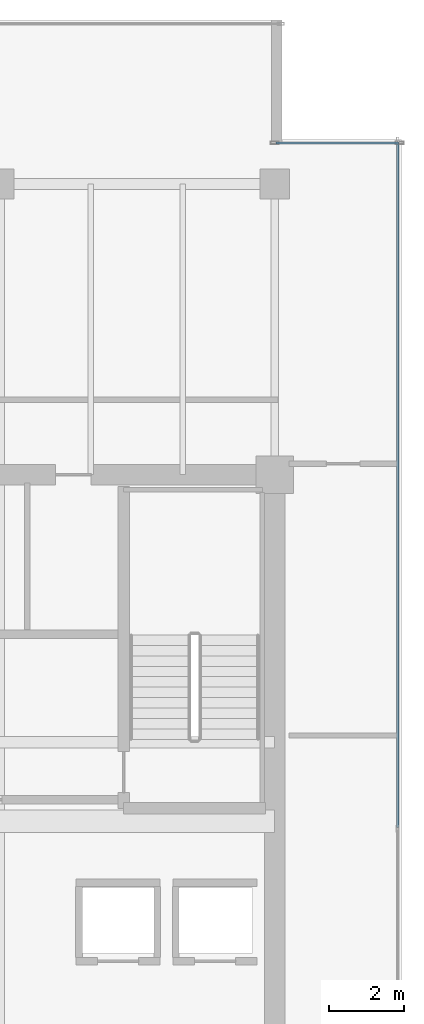
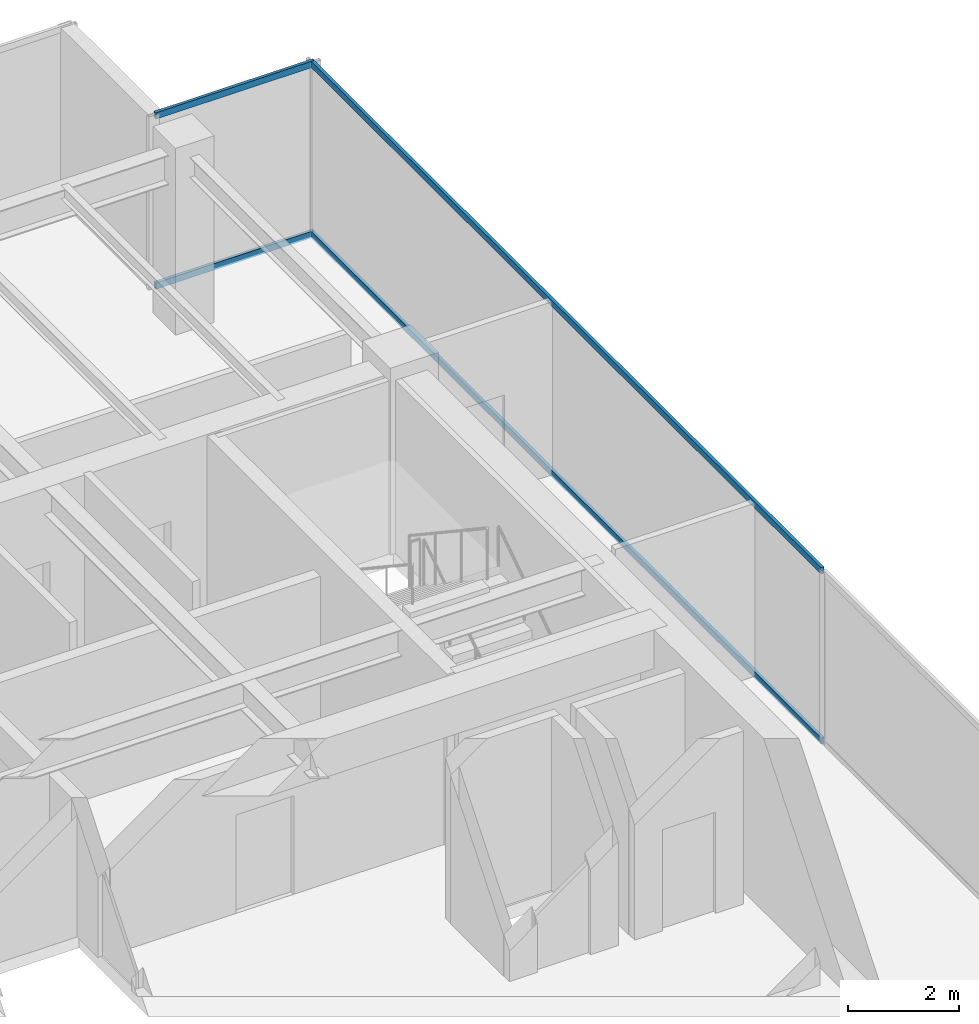
# One storey, part 25 of 33: 4 members, 2 elements without a shape of their own.
"""IFC4 building model written with IfcOpenShell, lengths in metres."""

from ifc_helpers import new_model, si_unit, direction, frame, origin, origin_2d, place, context, subcontext, project, spatial, hollow_rectangle, extrude, source, transform, mapped, material, layer, layer_set, material_profile, profile_set, type_object, type_shapes, element, aggregate, save


model = new_model("IFC4")

# Units and contexts
model_context = context("Model", 3, precision=1e-05, world=origin(), true_north=direction((0.0, 1.0)))
body_context = subcontext(model_context, "Body", "Model", "MODEL_VIEW")
ifc_project = project(units=[si_unit("LENGTHUNIT", "METRE"), si_unit("AREAUNIT", "SQUARE_METRE"), si_unit("VOLUMEUNIT", "CUBIC_METRE"), si_unit("PLANEANGLEUNIT", "RADIAN"), si_unit("MASSUNIT", "GRAM", prefix="KILO")], contexts=[model_context])

# Site, building, storey
site_placement = place(None, origin())
site = spatial("IfcSite", under=ifc_project, at=site_placement, CompositionType="ELEMENT")
building_placement = place(site_placement, origin())
building = spatial("IfcBuilding", under=site, at=building_placement, Name="Haelvirn Gate Laboratories", CompositionType="ELEMENT")
storey_placement = place(building_placement, frame((0.0, 0.0, 209.60009765625)))
storey = spatial("IfcBuildingStorey", under=building, at=storey_placement, Name="L50", CompositionType="ELEMENT", Elevation=209.60009765625)

# Curtain wall, members
ifc_material_1 = material(Name="Anodised bronze unitised aluminium & triple low-E glass", Category="aluminium")
ifc_layer_1 = layer(ifc_material_1, 0.181884765625, Name="CW-SYS-5")
ifc_layer_set_1 = layer_set([ifc_layer_1], Name="Anodised bronze unitised aluminium & triple low-E glass")
curtain_wall_type_1 = type_object("IfcCurtainWallType", Name="CW-SYS-5", PredefinedType="NOTDEFINED", material=ifc_layer_set_1)
curtain_wall_1_placement = place(storey_placement, origin())
curtain_wall_1 = element("IfcCurtainWall", 1, at=curtain_wall_1_placement, inside=storey, type_object=curtain_wall_type_1, Name="L50 Unitised Curtain Wall CW-L50-P0-E08-1", PredefinedType="NOTDEFINED")
ifc_material_2 = material(Name="Extruded aluminium 6063-T6 (anodised bronze)", Category="aluminium")
ifc_material_profile = material_profile(ifc_material_2, hollow_rectangle(XDim=0.06494140625, YDim=0.139892578125, WallThickness=0.00390625, at=origin_2d()), Name="CWT-140x65x4")
ifc_profile_set = profile_set([ifc_material_profile], Name="Extruded aluminium 6063-T6 (anodised bronze)")
member_type = type_object("IfcMemberType", Name="CWT-T140", PredefinedType="USERDEFINED", material=ifc_profile_set)
shared_shape_1 = source(origin(), body_context, "Body", "SweptSolid", [
    extrude(hollow_rectangle(XDim=0.06494140625, YDim=0.139892578125, WallThickness=0.00390625, at=origin_2d()), origin(), (0.0, 0.0, 1.0), 3.280029296875),
])
member_1_placement = place(storey_placement, frame((67.43994140625, 42.699951171875, 0.032470703125), z_axis=(1.0, 0.0, 0.0), x_axis=(0.0, 1.0, 0.0)))
member_1 = element("IfcMember", 2, at=member_1_placement, type_object=member_type, Name="CW5 transom 1.1", ObjectType="TRANSOM", PredefinedType="USERDEFINED", context=body_context, shape_type="MappedRepresentation", body=[
    mapped(shared_shape_1, transform((0.0, 0.0, 0.0), scale=1.0)),
])
member_2_placement = place(storey_placement, frame((67.43994140625, 42.699951171875, 3.767333984375), z_axis=(1.0, 0.0, 0.0), x_axis=(0.0, 1.0, 0.0)))
member_2 = element("IfcMember", 3, at=member_2_placement, type_object=member_type, Name="CW5 transom 1.2", ObjectType="TRANSOM", PredefinedType="USERDEFINED", context=body_context, shape_type="MappedRepresentation", body=[
    mapped(shared_shape_1, transform((0.0, 0.0, 0.0), scale=1.0)),
])
aggregate(curtain_wall_1, [member_1, member_2])

ifc_layer_2 = layer(ifc_material_1, 0.176025390625, Name="CW-SYS-4")
ifc_layer_set_2 = layer_set([ifc_layer_2], Name="Anodised bronze unitised aluminium & triple low-E glass")
curtain_wall_type_2 = type_object("IfcCurtainWallType", Name="CW-SYS-4", PredefinedType="NOTDEFINED", material=ifc_layer_set_2)
curtain_wall_2_placement = place(storey_placement, origin())
curtain_wall_2 = element("IfcCurtainWall", 4, at=curtain_wall_2_placement, inside=storey, type_object=curtain_wall_type_2, Name="L50 Unitised Curtain Wall CW-L50-P0-E07", PredefinedType="NOTDEFINED")
shared_shape_2 = source(origin(), body_context, "Body", "SweptSolid", [
    extrude(hollow_rectangle(XDim=0.06494140625, YDim=0.139892578125, WallThickness=0.00390625, at=origin_2d()), origin(), (0.0, 0.0, 1.0), 18.39501953125),
])
type_shapes(member_type, [shared_shape_1, shared_shape_2])
member_3_placement = place(storey_placement, frame((70.699951171875, 24.3349609375, 0.032470703125), z_axis=(0.0, 1.0, 0.0), x_axis=(-1.0, 0.0, 0.0)))
member_3 = element("IfcMember", 5, at=member_3_placement, type_object=member_type, Name="CW4 transom 2.1", ObjectType="TRANSOM", PredefinedType="USERDEFINED", context=body_context, shape_type="MappedRepresentation", body=[
    mapped(shared_shape_2, transform((0.0, 0.0, 0.0), scale=1.0)),
])
member_4_placement = place(storey_placement, frame((70.699951171875, 24.3349609375, 3.767333984375), z_axis=(0.0, 1.0, 0.0), x_axis=(-1.0, 0.0, 0.0)))
member_4 = element("IfcMember", 6, at=member_4_placement, type_object=member_type, Name="CW4 transom 2.2", ObjectType="TRANSOM", PredefinedType="USERDEFINED", context=body_context, shape_type="MappedRepresentation", body=[
    mapped(shared_shape_2, transform((0.0, 0.0, 0.0), scale=1.0)),
])
aggregate(curtain_wall_2, [member_3, member_4])

save(model, "model.ifc")
